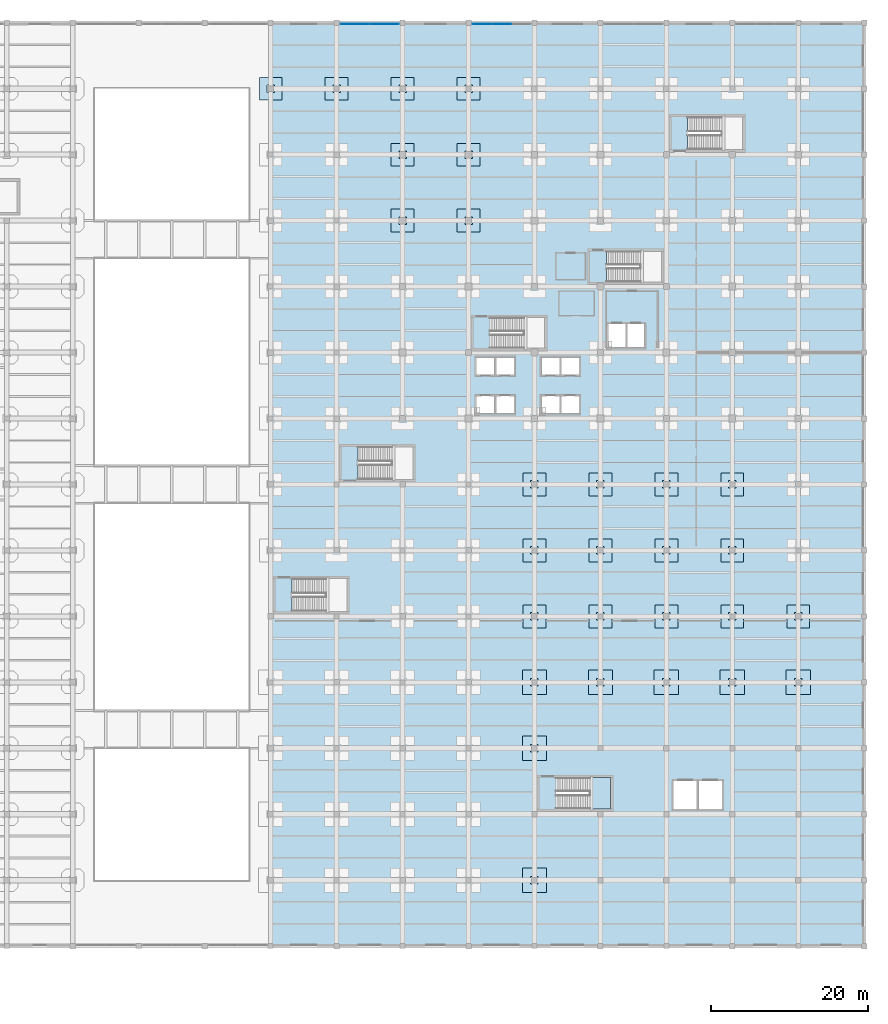
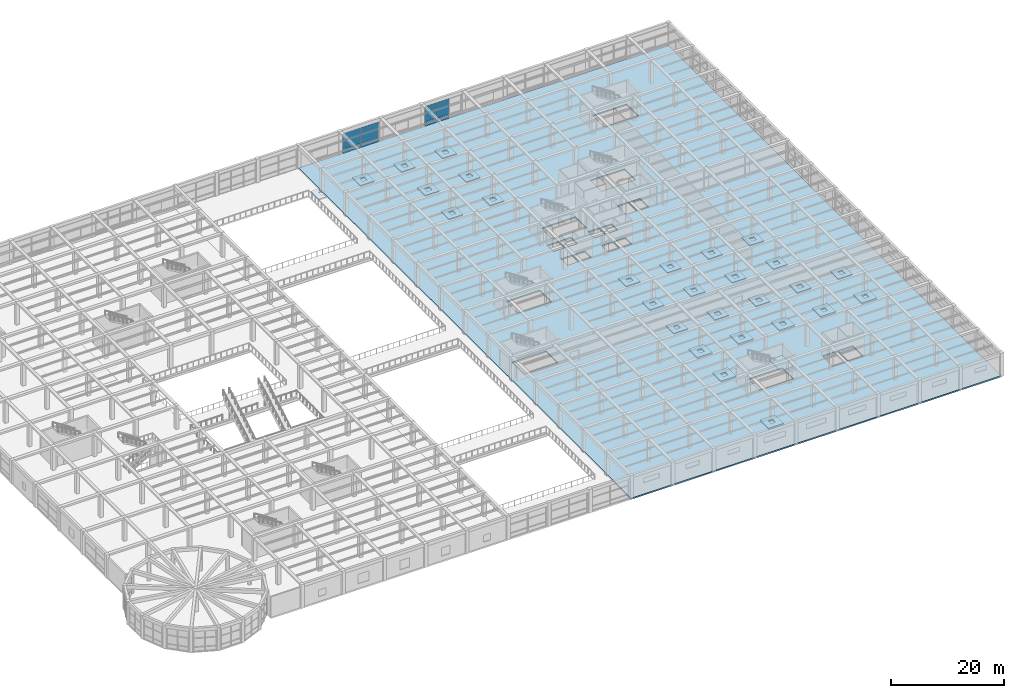
# One storey, part 74 of 95: 30 slabs, 12 plates, 3 elements without a shape of their own.
"""IFC4 building model written with IfcOpenShell, lengths in metres."""

from ifc_helpers import new_model, si_unit, direction, frame, origin, origin_2d, place, context, subcontext, project, spatial, polyline, rectangle, outline, extrude, material, layer, layer_set, type_object, element, aggregate, save


model = new_model("IFC4")

# Units and contexts
model_context = context("Model", 3, precision=1e-05, world=origin(), true_north=direction((0.0, 1.0)))
body_context = subcontext(model_context, "Body", "Model", "MODEL_VIEW")
ifc_project = project(units=[si_unit("LENGTHUNIT", "METRE"), si_unit("AREAUNIT", "SQUARE_METRE"), si_unit("VOLUMEUNIT", "CUBIC_METRE"), si_unit("PLANEANGLEUNIT", "RADIAN"), si_unit("MASSUNIT", "GRAM", prefix="KILO")], contexts=[model_context])

# Site, building, storey
site_placement = place(None, origin())
site = spatial("IfcSite", under=ifc_project, at=site_placement, CompositionType="ELEMENT")
building_placement = place(site_placement, origin())
building = spatial("IfcBuilding", under=site, at=building_placement, Name="Almacenes y Pasaje Nevantli", CompositionType="ELEMENT")
storey_placement = place(building_placement, frame((0.0, 0.0, 11.39990234375)))
storey = spatial("IfcBuildingStorey", under=building, at=storey_placement, Name="L03", CompositionType="ELEMENT", Elevation=11.39990234375)

# Curtain wall, plates
ifc_material_1 = material(Name="Thermally Broken Aluminium and Low-E Glass", Category="aluminium")
curtain_wall_type = type_object("IfcCurtainWallType", Name="CW-STF-BLVD", PredefinedType="USERDEFINED", material=ifc_material_1)
curtain_wall_1_placement = place(storey_placement, origin())
curtain_wall_1 = element("IfcCurtainWall", 1, at=curtain_wall_1_placement, inside=storey, type_object=curtain_wall_type, Name="L03 North Boulevard Retail Curtain Wall Bay 13", ObjectType="STOREFRONT GLAZING", PredefinedType="USERDEFINED")
ifc_material_2 = material(Name="Low-E Double Glazed Insulated Unit", Category="glass")
ifc_layer_1 = layer(ifc_material_2, 0.031982421875)
ifc_layer_set_1 = layer_set([ifc_layer_1], Name="Low-E Double Glazed Insulated Unit")
plate_type = type_object("IfcPlateType", Name="PL-IGU-32", PredefinedType="CURTAIN_PANEL", material=ifc_layer_set_1)
plate_1_placement = place(storey_placement, frame((103.139892578125, 117.449951171875, 0.06005859375), z_axis=(0.0, 0.0, 1.0), x_axis=(1.0, 0.0, 0.0)))
plate_1 = element("IfcPlate", 2, at=plate_1_placement, type_object=plate_type, Name="CW-L03-041 panel 1.1", PredefinedType="CURTAIN_PANEL", context=body_context, shape_type="SweptSolid", body=[
    extrude(rectangle(XDim=3.659912109375, YDim=0.031982421875, at=origin_2d()), origin(), (0.0, 0.0, 1.0), 0.860107421875),
])
plate_2_placement = place(storey_placement, frame((103.139892578125, 117.449951171875, 0.97998046875), z_axis=(0.0, 0.0, 1.0), x_axis=(1.0, 0.0, 0.0)))
plate_2 = element("IfcPlate", 3, at=plate_2_placement, type_object=plate_type, Name="CW-L03-041 panel 1.2", PredefinedType="CURTAIN_PANEL", context=body_context, shape_type="SweptSolid", body=[
    extrude(rectangle(XDim=3.659912109375, YDim=0.031982421875, at=origin_2d()), origin(), (0.0, 0.0, 1.0), 1.840087890625),
])
plate_3_placement = place(storey_placement, frame((103.139892578125, 117.449951171875, 2.880126953125), z_axis=(0.0, 0.0, 1.0), x_axis=(1.0, 0.0, 0.0)))
plate_3 = element("IfcPlate", 4, at=plate_3_placement, type_object=plate_type, Name="CW-L03-041 panel 1.3", PredefinedType="CURTAIN_PANEL", context=body_context, shape_type="SweptSolid", body=[
    extrude(rectangle(XDim=3.659912109375, YDim=0.031982421875, at=origin_2d()), origin(), (0.0, 0.0, 1.0), 1.43994140625),
])
plate_4_placement = place(storey_placement, frame((106.860107421875, 117.449951171875, 0.06005859375), z_axis=(0.0, 0.0, 1.0), x_axis=(1.0, 0.0, 0.0)))
plate_4 = element("IfcPlate", 5, at=plate_4_placement, type_object=plate_type, Name="CW-L03-041 panel 2.1", PredefinedType="CURTAIN_PANEL", context=body_context, shape_type="SweptSolid", body=[
    extrude(rectangle(XDim=3.659912109375, YDim=0.031982421875, at=origin_2d()), origin(), (0.0, 0.0, 1.0), 0.860107421875),
])
plate_5_placement = place(storey_placement, frame((106.860107421875, 117.449951171875, 0.97998046875), z_axis=(0.0, 0.0, 1.0), x_axis=(1.0, 0.0, 0.0)))
plate_5 = element("IfcPlate", 6, at=plate_5_placement, type_object=plate_type, Name="CW-L03-041 panel 2.2", PredefinedType="CURTAIN_PANEL", context=body_context, shape_type="SweptSolid", body=[
    extrude(rectangle(XDim=3.659912109375, YDim=0.031982421875, at=origin_2d()), origin(), (0.0, 0.0, 1.0), 1.840087890625),
])
plate_6_placement = place(storey_placement, frame((106.860107421875, 117.449951171875, 2.880126953125), z_axis=(0.0, 0.0, 1.0), x_axis=(1.0, 0.0, 0.0)))
plate_6 = element("IfcPlate", 7, at=plate_6_placement, type_object=plate_type, Name="CW-L03-041 panel 2.3", PredefinedType="CURTAIN_PANEL", context=body_context, shape_type="SweptSolid", body=[
    extrude(rectangle(XDim=3.659912109375, YDim=0.031982421875, at=origin_2d()), origin(), (0.0, 0.0, 1.0), 1.43994140625),
])
aggregate(curtain_wall_1, [plate_1, plate_2, plate_3, plate_4, plate_5, plate_6])

curtain_wall_2_placement = place(storey_placement, origin())
curtain_wall_2 = element("IfcCurtainWall", 8, at=curtain_wall_2_placement, inside=storey, type_object=curtain_wall_type, Name="L03 North Boulevard Retail Curtain Wall Bay 15", ObjectType="STOREFRONT GLAZING", PredefinedType="USERDEFINED")
plate_7_placement = place(storey_placement, frame((119.31494140625, 117.449951171875, 0.06005859375), z_axis=(0.0, 0.0, 1.0), x_axis=(1.0, 0.0, 0.0)))
plate_7 = element("IfcPlate", 9, at=plate_7_placement, type_object=plate_type, Name="CW-L03-042 panel 1.1", PredefinedType="CURTAIN_PANEL", context=body_context, shape_type="SweptSolid", body=[
    extrude(rectangle(XDim=2.409912109375, YDim=0.031982421875, at=origin_2d()), origin(), (0.0, 0.0, 1.0), 0.860107421875),
])
plate_8_placement = place(storey_placement, frame((119.31494140625, 117.449951171875, 0.97998046875), z_axis=(0.0, 0.0, 1.0), x_axis=(1.0, 0.0, 0.0)))
plate_8 = element("IfcPlate", 10, at=plate_8_placement, type_object=plate_type, Name="CW-L03-042 panel 1.2", PredefinedType="CURTAIN_PANEL", context=body_context, shape_type="SweptSolid", body=[
    extrude(rectangle(XDim=2.409912109375, YDim=0.031982421875, at=origin_2d()), origin(), (0.0, 0.0, 1.0), 1.840087890625),
])
plate_9_placement = place(storey_placement, frame((119.31494140625, 117.449951171875, 2.880126953125), z_axis=(0.0, 0.0, 1.0), x_axis=(1.0, 0.0, 0.0)))
plate_9 = element("IfcPlate", 11, at=plate_9_placement, type_object=plate_type, Name="CW-L03-042 panel 1.3", PredefinedType="CURTAIN_PANEL", context=body_context, shape_type="SweptSolid", body=[
    extrude(rectangle(XDim=2.409912109375, YDim=0.031982421875, at=origin_2d()), origin(), (0.0, 0.0, 1.0), 1.43994140625),
])
plate_10_placement = place(storey_placement, frame((121.800048828125, 117.449951171875, 0.06005859375), z_axis=(0.0, 0.0, 1.0), x_axis=(1.0, 0.0, 0.0)))
plate_10 = element("IfcPlate", 12, at=plate_10_placement, type_object=plate_type, Name="CW-L03-042 panel 2.1", PredefinedType="CURTAIN_PANEL", context=body_context, shape_type="SweptSolid", body=[
    extrude(rectangle(XDim=2.43994140625, YDim=0.031982421875, at=origin_2d()), origin(), (0.0, 0.0, 1.0), 0.860107421875),
])
plate_11_placement = place(storey_placement, frame((121.800048828125, 117.449951171875, 0.97998046875), z_axis=(0.0, 0.0, 1.0), x_axis=(1.0, 0.0, 0.0)))
plate_11 = element("IfcPlate", 13, at=plate_11_placement, type_object=plate_type, Name="CW-L03-042 panel 2.2", PredefinedType="CURTAIN_PANEL", context=body_context, shape_type="SweptSolid", body=[
    extrude(rectangle(XDim=2.43994140625, YDim=0.031982421875, at=origin_2d()), origin(), (0.0, 0.0, 1.0), 1.840087890625),
])
plate_12_placement = place(storey_placement, frame((121.800048828125, 117.449951171875, 2.880126953125), z_axis=(0.0, 0.0, 1.0), x_axis=(1.0, 0.0, 0.0)))
plate_12 = element("IfcPlate", 14, at=plate_12_placement, type_object=plate_type, Name="CW-L03-042 panel 2.3", PredefinedType="CURTAIN_PANEL", context=body_context, shape_type="SweptSolid", body=[
    extrude(rectangle(XDim=2.43994140625, YDim=0.031982421875, at=origin_2d()), origin(), (0.0, 0.0, 1.0), 1.43994140625),
])
aggregate(curtain_wall_2, [plate_7, plate_8, plate_9, plate_10, plate_11, plate_12])

# Slabs
ifc_material_3 = material(Name="Concrete C35/45", Category="concrete")
ifc_layer_2 = layer(ifc_material_3, 0.25)
ifc_layer_set_2 = layer_set([ifc_layer_2], Name="Concrete C35/45")
slab_type_1 = type_object("IfcSlabType", Name="SLB-DP-250", PredefinedType="USERDEFINED", material=ifc_layer_set_2)
slab_1_placement = place(storey_placement, frame((0.0, 0.0, -0.5498046875)))
element("IfcSlab", 15, at=slab_1_placement, inside=storey, type_object=slab_type_1, Name="L03 Punching-Shear Drop Panel DP-02 #666", ObjectType="DROP PANEL", PredefinedType="USERDEFINED", context=body_context, shape_type="SweptSolid", body=[
    extrude(outline(polyline([(90.949951171875, 107.75), (93.85009765625, 107.75), (93.85009765625, 110.64990234375), (90.949951171875, 110.64990234375), (90.949951171875, 107.75)]), holes=[polyline([(91.919921875, 108.719970703125), (92.8798828125, 108.719970703125), (92.8798828125, 109.679931640625), (91.919921875, 109.679931640625), (91.919921875, 108.719970703125)])]), origin(), (0.0, 0.0, 1.0), 0.25),
])
slab_2_placement = place(storey_placement, frame((0.0, 0.0, -0.5498046875)))
element("IfcSlab", 16, at=slab_2_placement, inside=storey, type_object=slab_type_1, Name="L03 Punching-Shear Drop Panel DP-02 #677", ObjectType="DROP PANEL", PredefinedType="USERDEFINED", context=body_context, shape_type="SweptSolid", body=[
    extrude(outline(polyline([(99.35009765625, 107.75), (102.25, 107.75), (102.25, 110.64990234375), (99.35009765625, 110.64990234375), (99.35009765625, 107.75)]), holes=[polyline([(100.320068359375, 108.719970703125), (101.280029296875, 108.719970703125), (101.280029296875, 109.679931640625), (100.320068359375, 109.679931640625), (100.320068359375, 108.719970703125)])]), origin(), (0.0, 0.0, 1.0), 0.25),
])
slab_3_placement = place(storey_placement, frame((0.0, 0.0, -0.5498046875)))
element("IfcSlab", 17, at=slab_3_placement, inside=storey, type_object=slab_type_1, Name="L03 Punching-Shear Drop Panel DP-02 #687", ObjectType="DROP PANEL", PredefinedType="USERDEFINED", context=body_context, shape_type="SweptSolid", body=[
    extrude(outline(polyline([(107.75, 90.949951171875), (110.64990234375, 90.949951171875), (110.64990234375, 93.85009765625), (107.75, 93.85009765625), (107.75, 90.949951171875)]), holes=[polyline([(108.719970703125, 91.919921875), (109.679931640625, 91.919921875), (109.679931640625, 92.8798828125), (108.719970703125, 92.8798828125), (108.719970703125, 91.919921875)])]), origin(), (0.0, 0.0, 1.0), 0.25),
])
slab_4_placement = place(storey_placement, frame((0.0, 0.0, -0.5498046875)))
element("IfcSlab", 18, at=slab_4_placement, inside=storey, type_object=slab_type_1, Name="L03 Punching-Shear Drop Panel DP-02 #688", ObjectType="DROP PANEL", PredefinedType="USERDEFINED", context=body_context, shape_type="SweptSolid", body=[
    extrude(outline(polyline([(107.75, 99.35009765625), (110.64990234375, 99.35009765625), (110.64990234375, 102.25), (107.75, 102.25), (107.75, 99.35009765625)]), holes=[polyline([(108.719970703125, 100.320068359375), (109.679931640625, 100.320068359375), (109.679931640625, 101.280029296875), (108.719970703125, 101.280029296875), (108.719970703125, 100.320068359375)])]), origin(), (0.0, 0.0, 1.0), 0.25),
])
slab_5_placement = place(storey_placement, frame((0.0, 0.0, -0.5498046875)))
element("IfcSlab", 19, at=slab_5_placement, inside=storey, type_object=slab_type_1, Name="L03 Punching-Shear Drop Panel DP-02 #689", ObjectType="DROP PANEL", PredefinedType="USERDEFINED", context=body_context, shape_type="SweptSolid", body=[
    extrude(outline(polyline([(107.75, 107.75), (110.64990234375, 107.75), (110.64990234375, 110.64990234375), (107.75, 110.64990234375), (107.75, 107.75)]), holes=[polyline([(108.719970703125, 108.719970703125), (109.679931640625, 108.719970703125), (109.679931640625, 109.679931640625), (108.719970703125, 109.679931640625), (108.719970703125, 108.719970703125)])]), origin(), (0.0, 0.0, 1.0), 0.25),
])
slab_6_placement = place(storey_placement, frame((0.0, 0.0, -0.5498046875)))
element("IfcSlab", 20, at=slab_6_placement, inside=storey, type_object=slab_type_1, Name="L03 Punching-Shear Drop Panel DP-02 #699", ObjectType="DROP PANEL", PredefinedType="USERDEFINED", context=body_context, shape_type="SweptSolid", body=[
    extrude(outline(polyline([(116.14990234375, 90.949951171875), (119.050048828125, 90.949951171875), (119.050048828125, 93.85009765625), (116.14990234375, 93.85009765625), (116.14990234375, 90.949951171875)]), holes=[polyline([(117.1201171875, 91.919921875), (118.080078125, 91.919921875), (118.080078125, 92.8798828125), (117.1201171875, 92.8798828125), (117.1201171875, 91.919921875)])]), origin(), (0.0, 0.0, 1.0), 0.25),
])
slab_7_placement = place(storey_placement, frame((0.0, 0.0, -0.5498046875)))
element("IfcSlab", 21, at=slab_7_placement, inside=storey, type_object=slab_type_1, Name="L03 Punching-Shear Drop Panel DP-02 #700", ObjectType="DROP PANEL", PredefinedType="USERDEFINED", context=body_context, shape_type="SweptSolid", body=[
    extrude(outline(polyline([(116.14990234375, 99.35009765625), (119.050048828125, 99.35009765625), (119.050048828125, 102.25), (116.14990234375, 102.25), (116.14990234375, 99.35009765625)]), holes=[polyline([(117.1201171875, 100.320068359375), (118.080078125, 100.320068359375), (118.080078125, 101.280029296875), (117.1201171875, 101.280029296875), (117.1201171875, 100.320068359375)])]), origin(), (0.0, 0.0, 1.0), 0.25),
])
slab_8_placement = place(storey_placement, frame((0.0, 0.0, -0.5498046875)))
element("IfcSlab", 22, at=slab_8_placement, inside=storey, type_object=slab_type_1, Name="L03 Punching-Shear Drop Panel DP-02 #701", ObjectType="DROP PANEL", PredefinedType="USERDEFINED", context=body_context, shape_type="SweptSolid", body=[
    extrude(outline(polyline([(116.14990234375, 107.75), (119.050048828125, 107.75), (119.050048828125, 110.64990234375), (116.14990234375, 110.64990234375), (116.14990234375, 107.75)]), holes=[polyline([(117.1201171875, 108.719970703125), (118.080078125, 108.719970703125), (118.080078125, 109.679931640625), (117.1201171875, 109.679931640625), (117.1201171875, 108.719970703125)])]), origin(), (0.0, 0.0, 1.0), 0.25),
])
slab_9_placement = place(storey_placement, frame((0.0, 0.0, -0.5498046875)))
element("IfcSlab", 23, at=slab_9_placement, inside=storey, type_object=slab_type_1, Name="L03 Punching-Shear Drop Panel DP-02 #705", ObjectType="DROP PANEL", PredefinedType="USERDEFINED", context=body_context, shape_type="SweptSolid", body=[
    extrude(outline(polyline([(124.550048828125, 40.550048828125), (127.449951171875, 40.550048828125), (127.449951171875, 43.449951171875), (124.550048828125, 43.449951171875), (124.550048828125, 40.550048828125)]), holes=[polyline([(125.52001953125, 41.52001953125), (126.47998046875, 41.52001953125), (126.47998046875, 42.47998046875), (125.52001953125, 42.47998046875), (125.52001953125, 41.52001953125)])]), origin(), (0.0, 0.0, 1.0), 0.25),
])
slab_10_placement = place(storey_placement, frame((0.0, 0.0, -0.5498046875)))
element("IfcSlab", 24, at=slab_10_placement, inside=storey, type_object=slab_type_1, Name="L03 Punching-Shear Drop Panel DP-02 #706", ObjectType="DROP PANEL", PredefinedType="USERDEFINED", context=body_context, shape_type="SweptSolid", body=[
    extrude(outline(polyline([(124.550048828125, 48.949951171875), (127.449951171875, 48.949951171875), (127.449951171875, 51.85009765625), (124.550048828125, 51.85009765625), (124.550048828125, 48.949951171875)]), holes=[polyline([(125.52001953125, 49.919921875), (126.47998046875, 49.919921875), (126.47998046875, 50.8798828125), (125.52001953125, 50.8798828125), (125.52001953125, 49.919921875)])]), origin(), (0.0, 0.0, 1.0), 0.25),
])
slab_11_placement = place(storey_placement, frame((0.0, 0.0, -0.5498046875)))
element("IfcSlab", 25, at=slab_11_placement, inside=storey, type_object=slab_type_1, Name="L03 Punching-Shear Drop Panel DP-02 #707", ObjectType="DROP PANEL", PredefinedType="USERDEFINED", context=body_context, shape_type="SweptSolid", body=[
    extrude(outline(polyline([(124.550048828125, 57.35009765625), (127.449951171875, 57.35009765625), (127.449951171875, 60.25), (124.550048828125, 60.25), (124.550048828125, 57.35009765625)]), holes=[polyline([(125.52001953125, 58.320068359375), (126.47998046875, 58.320068359375), (126.47998046875, 59.280029296875), (125.52001953125, 59.280029296875), (125.52001953125, 58.320068359375)])]), origin(), (0.0, 0.0, 1.0), 0.25),
])
slab_12_placement = place(storey_placement, frame((0.0, 0.0, -0.5498046875)))
element("IfcSlab", 26, at=slab_12_placement, inside=storey, type_object=slab_type_1, Name="L03 Punching-Shear Drop Panel DP-02 #714", ObjectType="DROP PANEL", PredefinedType="USERDEFINED", context=body_context, shape_type="SweptSolid", body=[
    extrude(outline(polyline([(132.949951171875, 40.550048828125), (135.85009765625, 40.550048828125), (135.85009765625, 43.449951171875), (132.949951171875, 43.449951171875), (132.949951171875, 40.550048828125)]), holes=[polyline([(133.919921875, 41.52001953125), (134.8798828125, 41.52001953125), (134.8798828125, 42.47998046875), (133.919921875, 42.47998046875), (133.919921875, 41.52001953125)])]), origin(), (0.0, 0.0, 1.0), 0.25),
])
slab_13_placement = place(storey_placement, frame((0.0, 0.0, -0.5498046875)))
element("IfcSlab", 27, at=slab_13_placement, inside=storey, type_object=slab_type_1, Name="L03 Punching-Shear Drop Panel DP-02 #715", ObjectType="DROP PANEL", PredefinedType="USERDEFINED", context=body_context, shape_type="SweptSolid", body=[
    extrude(outline(polyline([(132.949951171875, 48.949951171875), (135.85009765625, 48.949951171875), (135.85009765625, 51.85009765625), (132.949951171875, 51.85009765625), (132.949951171875, 48.949951171875)]), holes=[polyline([(133.919921875, 49.919921875), (134.8798828125, 49.919921875), (134.8798828125, 50.8798828125), (133.919921875, 50.8798828125), (133.919921875, 49.919921875)])]), origin(), (0.0, 0.0, 1.0), 0.25),
])
slab_14_placement = place(storey_placement, frame((0.0, 0.0, -0.5498046875)))
element("IfcSlab", 28, at=slab_14_placement, inside=storey, type_object=slab_type_1, Name="L03 Punching-Shear Drop Panel DP-02 #716", ObjectType="DROP PANEL", PredefinedType="USERDEFINED", context=body_context, shape_type="SweptSolid", body=[
    extrude(outline(polyline([(132.949951171875, 57.35009765625), (135.85009765625, 57.35009765625), (135.85009765625, 60.25), (132.949951171875, 60.25), (132.949951171875, 57.35009765625)]), holes=[polyline([(133.919921875, 58.320068359375), (134.8798828125, 58.320068359375), (134.8798828125, 59.280029296875), (133.919921875, 59.280029296875), (133.919921875, 58.320068359375)])]), origin(), (0.0, 0.0, 1.0), 0.25),
])
slab_15_placement = place(storey_placement, frame((0.0, 0.0, -0.5498046875)))
element("IfcSlab", 29, at=slab_15_placement, inside=storey, type_object=slab_type_1, Name="L03 Punching-Shear Drop Panel DP-02 #723", ObjectType="DROP PANEL", PredefinedType="USERDEFINED", context=body_context, shape_type="SweptSolid", body=[
    extrude(outline(polyline([(141.35009765625, 40.550048828125), (144.25, 40.550048828125), (144.25, 43.449951171875), (141.35009765625, 43.449951171875), (141.35009765625, 40.550048828125)]), holes=[polyline([(142.320068359375, 41.52001953125), (143.280029296875, 41.52001953125), (143.280029296875, 42.47998046875), (142.320068359375, 42.47998046875), (142.320068359375, 41.52001953125)])]), origin(), (0.0, 0.0, 1.0), 0.25),
])
slab_16_placement = place(storey_placement, frame((0.0, 0.0, -0.5498046875)))
element("IfcSlab", 30, at=slab_16_placement, inside=storey, type_object=slab_type_1, Name="L03 Punching-Shear Drop Panel DP-02 #724", ObjectType="DROP PANEL", PredefinedType="USERDEFINED", context=body_context, shape_type="SweptSolid", body=[
    extrude(outline(polyline([(141.35009765625, 48.949951171875), (144.25, 48.949951171875), (144.25, 51.85009765625), (141.35009765625, 51.85009765625), (141.35009765625, 48.949951171875)]), holes=[polyline([(142.320068359375, 49.919921875), (143.280029296875, 49.919921875), (143.280029296875, 50.8798828125), (142.320068359375, 50.8798828125), (142.320068359375, 49.919921875)])]), origin(), (0.0, 0.0, 1.0), 0.25),
])
slab_17_placement = place(storey_placement, frame((0.0, 0.0, -0.5498046875)))
element("IfcSlab", 31, at=slab_17_placement, inside=storey, type_object=slab_type_1, Name="L03 Punching-Shear Drop Panel DP-02 #725", ObjectType="DROP PANEL", PredefinedType="USERDEFINED", context=body_context, shape_type="SweptSolid", body=[
    extrude(outline(polyline([(141.35009765625, 57.35009765625), (144.25, 57.35009765625), (144.25, 60.25), (141.35009765625, 60.25), (141.35009765625, 57.35009765625)]), holes=[polyline([(142.320068359375, 58.320068359375), (143.280029296875, 58.320068359375), (143.280029296875, 59.280029296875), (142.320068359375, 59.280029296875), (142.320068359375, 58.320068359375)])]), origin(), (0.0, 0.0, 1.0), 0.25),
])
slab_18_placement = place(storey_placement, frame((0.0, 0.0, -0.5498046875)))
element("IfcSlab", 32, at=slab_18_placement, inside=storey, type_object=slab_type_1, Name="L03 Punching-Shear Drop Panel DP-02 #731", ObjectType="DROP PANEL", PredefinedType="USERDEFINED", context=body_context, shape_type="SweptSolid", body=[
    extrude(outline(polyline([(149.75, 40.550048828125), (152.64990234375, 40.550048828125), (152.64990234375, 43.449951171875), (149.75, 43.449951171875), (149.75, 40.550048828125)]), holes=[polyline([(150.719970703125, 41.52001953125), (151.679931640625, 41.52001953125), (151.679931640625, 42.47998046875), (150.719970703125, 42.47998046875), (150.719970703125, 41.52001953125)])]), origin(), (0.0, 0.0, 1.0), 0.25),
])
slab_19_placement = place(storey_placement, frame((0.0, 0.0, -0.5498046875)))
element("IfcSlab", 33, at=slab_19_placement, inside=storey, type_object=slab_type_1, Name="L03 Punching-Shear Drop Panel DP-02 #732", ObjectType="DROP PANEL", PredefinedType="USERDEFINED", context=body_context, shape_type="SweptSolid", body=[
    extrude(outline(polyline([(149.75, 48.949951171875), (152.64990234375, 48.949951171875), (152.64990234375, 51.85009765625), (149.75, 51.85009765625), (149.75, 48.949951171875)]), holes=[polyline([(150.719970703125, 49.919921875), (151.679931640625, 49.919921875), (151.679931640625, 50.8798828125), (150.719970703125, 50.8798828125), (150.719970703125, 49.919921875)])]), origin(), (0.0, 0.0, 1.0), 0.25),
])
slab_20_placement = place(storey_placement, frame((0.0, 0.0, -0.5498046875)))
element("IfcSlab", 34, at=slab_20_placement, inside=storey, type_object=slab_type_1, Name="L03 Punching-Shear Drop Panel DP-02 #733", ObjectType="DROP PANEL", PredefinedType="USERDEFINED", context=body_context, shape_type="SweptSolid", body=[
    extrude(outline(polyline([(149.75, 57.35009765625), (152.64990234375, 57.35009765625), (152.64990234375, 60.25), (149.75, 60.25), (149.75, 57.35009765625)]), holes=[polyline([(150.719970703125, 58.320068359375), (151.679931640625, 58.320068359375), (151.679931640625, 59.280029296875), (150.719970703125, 59.280029296875), (150.719970703125, 58.320068359375)])]), origin(), (0.0, 0.0, 1.0), 0.25),
])
slab_21_placement = place(storey_placement, frame((0.0, 0.0, -0.5498046875)))
element("IfcSlab", 35, at=slab_21_placement, inside=storey, type_object=slab_type_1, Name="L03 Punching-Shear Drop Panel DP-02 #740", ObjectType="DROP PANEL", PredefinedType="USERDEFINED", context=body_context, shape_type="SweptSolid", body=[
    extrude(outline(polyline([(158.14990234375, 40.550048828125), (161.050048828125, 40.550048828125), (161.050048828125, 43.449951171875), (158.14990234375, 43.449951171875), (158.14990234375, 40.550048828125)]), holes=[polyline([(159.1201171875, 41.52001953125), (160.080078125, 41.52001953125), (160.080078125, 42.47998046875), (159.1201171875, 42.47998046875), (159.1201171875, 41.52001953125)])]), origin(), (0.0, 0.0, 1.0), 0.25),
])
ifc_material_4 = material(Name="Concrete C35/45", Category="concrete")
ifc_layer_3 = layer(ifc_material_4, 0.31005859375)
ifc_layer_set_3 = layer_set([ifc_layer_3], Name="Concrete C35/45")
slab_type_2 = type_object("IfcSlabType", Name="SLB-DP-310", PredefinedType="USERDEFINED", material=ifc_layer_set_3)
slab_22_placement = place(storey_placement, frame((0.0, 0.0, -0.60986328125)))
element("IfcSlab", 36, at=slab_22_placement, inside=storey, type_object=slab_type_2, Name="L03 Punching-Shear Drop Panel DP-03 #702", ObjectType="DROP PANEL", PredefinedType="USERDEFINED", context=body_context, shape_type="SweptSolid", body=[
    extrude(outline(polyline([(124.449951171875, 6.85009765625), (127.550048828125, 6.85009765625), (127.550048828125, 9.949951171875), (124.449951171875, 9.949951171875), (124.449951171875, 6.85009765625)]), holes=[polyline([(125.52001953125, 7.919921875), (126.47998046875, 7.919921875), (126.47998046875, 8.8798828125), (125.52001953125, 8.8798828125), (125.52001953125, 7.919921875)])]), origin(), (0.0, 0.0, 1.0), 0.31005859375),
])
slab_23_placement = place(storey_placement, frame((0.0, 0.0, -0.60986328125)))
element("IfcSlab", 37, at=slab_23_placement, inside=storey, type_object=slab_type_2, Name="L03 Punching-Shear Drop Panel DP-03 #703", ObjectType="DROP PANEL", PredefinedType="USERDEFINED", context=body_context, shape_type="SweptSolid", body=[
    extrude(outline(polyline([(124.449951171875, 23.64990234375), (127.550048828125, 23.64990234375), (127.550048828125, 26.75), (124.449951171875, 26.75), (124.449951171875, 23.64990234375)]), holes=[polyline([(125.52001953125, 24.719970703125), (126.47998046875, 24.719970703125), (126.47998046875, 25.679931640625), (125.52001953125, 25.679931640625), (125.52001953125, 24.719970703125)])]), origin(), (0.0, 0.0, 1.0), 0.31005859375),
])
slab_24_placement = place(storey_placement, frame((0.0, 0.0, -0.60986328125)))
element("IfcSlab", 38, at=slab_24_placement, inside=storey, type_object=slab_type_2, Name="L03 Punching-Shear Drop Panel DP-03 #704", ObjectType="DROP PANEL", PredefinedType="USERDEFINED", context=body_context, shape_type="SweptSolid", body=[
    extrude(outline(polyline([(124.449951171875, 32.050048828125), (127.550048828125, 32.050048828125), (127.550048828125, 35.14990234375), (124.449951171875, 35.14990234375), (124.449951171875, 32.050048828125)]), holes=[polyline([(125.52001953125, 33.1201171875), (126.47998046875, 33.1201171875), (126.47998046875, 34.080078125), (125.52001953125, 34.080078125), (125.52001953125, 33.1201171875)])]), origin(), (0.0, 0.0, 1.0), 0.31005859375),
])
slab_25_placement = place(storey_placement, frame((0.0, 0.0, -0.60986328125)))
element("IfcSlab", 39, at=slab_25_placement, inside=storey, type_object=slab_type_2, Name="L03 Punching-Shear Drop Panel DP-03 #713", ObjectType="DROP PANEL", PredefinedType="USERDEFINED", context=body_context, shape_type="SweptSolid", body=[
    extrude(outline(polyline([(132.85009765625, 32.050048828125), (135.949951171875, 32.050048828125), (135.949951171875, 35.14990234375), (132.85009765625, 35.14990234375), (132.85009765625, 32.050048828125)]), holes=[polyline([(133.919921875, 33.1201171875), (134.8798828125, 33.1201171875), (134.8798828125, 34.080078125), (133.919921875, 34.080078125), (133.919921875, 33.1201171875)])]), origin(), (0.0, 0.0, 1.0), 0.31005859375),
])
slab_26_placement = place(storey_placement, frame((0.0, 0.0, -0.60986328125)))
element("IfcSlab", 40, at=slab_26_placement, inside=storey, type_object=slab_type_2, Name="L03 Punching-Shear Drop Panel DP-03 #722", ObjectType="DROP PANEL", PredefinedType="USERDEFINED", context=body_context, shape_type="SweptSolid", body=[
    extrude(outline(polyline([(141.25, 32.050048828125), (144.35009765625, 32.050048828125), (144.35009765625, 35.14990234375), (141.25, 35.14990234375), (141.25, 32.050048828125)]), holes=[polyline([(142.320068359375, 33.1201171875), (143.280029296875, 33.1201171875), (143.280029296875, 34.080078125), (142.320068359375, 34.080078125), (142.320068359375, 33.1201171875)])]), origin(), (0.0, 0.0, 1.0), 0.31005859375),
])
slab_27_placement = place(storey_placement, frame((0.0, 0.0, -0.60986328125)))
element("IfcSlab", 41, at=slab_27_placement, inside=storey, type_object=slab_type_2, Name="L03 Punching-Shear Drop Panel DP-03 #730", ObjectType="DROP PANEL", PredefinedType="USERDEFINED", context=body_context, shape_type="SweptSolid", body=[
    extrude(outline(polyline([(149.64990234375, 32.050048828125), (152.75, 32.050048828125), (152.75, 35.14990234375), (149.64990234375, 35.14990234375), (149.64990234375, 32.050048828125)]), holes=[polyline([(150.719970703125, 33.1201171875), (151.679931640625, 33.1201171875), (151.679931640625, 34.080078125), (150.719970703125, 34.080078125), (150.719970703125, 33.1201171875)])]), origin(), (0.0, 0.0, 1.0), 0.31005859375),
])
slab_28_placement = place(storey_placement, frame((0.0, 0.0, -0.60986328125)))
element("IfcSlab", 42, at=slab_28_placement, inside=storey, type_object=slab_type_2, Name="L03 Punching-Shear Drop Panel DP-03 #739", ObjectType="DROP PANEL", PredefinedType="USERDEFINED", context=body_context, shape_type="SweptSolid", body=[
    extrude(outline(polyline([(158.050048828125, 32.050048828125), (161.14990234375, 32.050048828125), (161.14990234375, 35.14990234375), (158.050048828125, 35.14990234375), (158.050048828125, 32.050048828125)]), holes=[polyline([(159.1201171875, 33.1201171875), (160.080078125, 33.1201171875), (160.080078125, 34.080078125), (159.1201171875, 34.080078125), (159.1201171875, 33.1201171875)])]), origin(), (0.0, 0.0, 1.0), 0.31005859375),
])
ifc_material_5 = material(Name="Concrete C35/45", Category="concrete")
ifc_layer_4 = layer(ifc_material_5, 0.300048828125)
ifc_layer_set_4 = layer_set([ifc_layer_4], Name="Concrete C35/45")
slab_type_3 = type_object("IfcSlabType", Name="SLB-FLR-300", PredefinedType="FLOOR", material=ifc_layer_set_4)
slab_29_placement = place(storey_placement, frame((0.0, 0.0, -0.2998046875)))
element("IfcSlab", 43, at=slab_29_placement, inside=storey, type_object=slab_type_3, Name="L03 East Podium Retail and Tower Core Slab", PredefinedType="FLOOR", context=body_context, shape_type="SweptSolid", body=[
    extrude(outline(polyline([(92.39990234375, 0.0), (168.0, 0.0), (168.0, 117.60009765625), (92.39990234375, 117.60009765625), (92.39990234375, 0.0)]), holes=[polyline([(120.31494140625, 76.14990234375), (127.300048828125, 76.14990234375), (127.300048828125, 80.0400390625), (120.31494140625, 80.0400390625), (120.31494140625, 76.14990234375)]), polyline([(135.1650390625, 84.60009765625), (142.14990234375, 84.60009765625), (142.14990234375, 88.489990234375), (135.1650390625, 88.489990234375), (135.1650390625, 84.60009765625)]), polyline([(128.715087890625, 17.5), (135.699951171875, 17.5), (135.699951171875, 21.449951171875), (128.715087890625, 21.449951171875), (128.715087890625, 17.5)]), polyline([(145.514892578125, 101.449951171875), (152.5, 101.449951171875), (152.5, 105.60009765625), (145.514892578125, 105.60009765625), (145.514892578125, 101.449951171875)]), polyline([(95.114990234375, 42.64990234375), (102.10009765625, 42.64990234375), (102.10009765625, 46.800048828125), (95.114990234375, 46.800048828125), (95.114990234375, 42.64990234375)]), polyline([(103.514892578125, 59.449951171875), (110.5, 59.449951171875), (110.5, 63.60009765625), (103.514892578125, 63.60009765625), (103.514892578125, 59.449951171875)]), polyline([(126.89990234375, 67.85009765625), (129.199951171875, 67.85009765625), (129.199951171875, 70.050048828125), (126.89990234375, 70.050048828125), (126.89990234375, 67.85009765625)]), polyline([(129.39990234375, 67.85009765625), (131.699951171875, 67.85009765625), (131.699951171875, 70.050048828125), (129.39990234375, 70.050048828125), (129.39990234375, 67.85009765625)]), polyline([(126.89990234375, 72.75), (129.199951171875, 72.75), (129.199951171875, 74.949951171875), (126.89990234375, 74.949951171875), (126.89990234375, 72.75)]), polyline([(129.39990234375, 72.75), (131.699951171875, 72.75), (131.699951171875, 74.949951171875), (129.39990234375, 74.949951171875), (129.39990234375, 72.75)]), polyline([(118.60009765625, 67.85009765625), (120.89990234375, 67.85009765625), (120.89990234375, 70.050048828125), (118.60009765625, 70.050048828125), (118.60009765625, 67.85009765625)]), polyline([(121.10009765625, 67.85009765625), (123.39990234375, 67.85009765625), (123.39990234375, 70.050048828125), (121.10009765625, 70.050048828125), (121.10009765625, 67.85009765625)]), polyline([(118.60009765625, 72.75), (120.89990234375, 72.75), (120.89990234375, 74.949951171875), (118.60009765625, 74.949951171875), (118.60009765625, 72.75)]), polyline([(121.10009765625, 72.75), (123.39990234375, 72.75), (123.39990234375, 74.949951171875), (121.10009765625, 74.949951171875), (121.10009765625, 72.75)]), polyline([(135.39990234375, 76.25), (137.60009765625, 76.25), (137.60009765625, 79.25), (135.39990234375, 79.25), (135.39990234375, 76.25)]), polyline([(137.800048828125, 76.25), (140.0, 76.25), (140.0, 79.25), (137.800048828125, 79.25), (137.800048828125, 76.25)]), polyline([(143.699951171875, 17.449951171875), (146.699951171875, 17.449951171875), (146.699951171875, 21.050048828125), (143.699951171875, 21.050048828125), (143.699951171875, 17.449951171875)]), polyline([(146.89990234375, 17.449951171875), (149.89990234375, 17.449951171875), (149.89990234375, 21.050048828125), (146.89990234375, 21.050048828125), (146.89990234375, 17.449951171875)])]), origin(), (0.0, 0.0, 1.0), 0.2998046875),
])

# Stair, slab
ifc_material_6 = material(Name="Concrete C35/45", Category="concrete")
stair_type = type_object("IfcStairType", Name="STR-CORE-1750", PredefinedType="HALF_TURN_STAIR", material=ifc_material_6)
stair_placement = place(storey_placement, origin())
stair = element("IfcStair", 44, at=stair_placement, inside=storey, type_object=stair_type, Name="L03 Staircase ST-06", PredefinedType="HALF_TURN_STAIR")
ifc_material_7 = material(Name="Concrete C35/45", Category="concrete")
ifc_layer_5 = layer(ifc_material_7, 0.199951171875)
ifc_layer_set_5 = layer_set([ifc_layer_5], Name="Concrete C35/45")
slab_type_4 = type_object("IfcSlabType", Name="SLB-LAND-200", PredefinedType="LANDING", material=ifc_layer_set_5)
slab_30_placement = place(storey_placement, frame((0.0, 0.0, 2.5)))
slab_30 = element("IfcSlab", 45, at=slab_30_placement, type_object=slab_type_4, Name="ST-06-L03 landing 1", PredefinedType="LANDING", context=body_context, shape_type="SweptSolid", body=[
    extrude(outline(polyline([(133.034912109375, 17.5), (135.699951171875, 17.5), (135.699951171875, 21.449951171875), (133.034912109375, 21.449951171875), (133.034912109375, 17.5)])), origin(), (0.0, 0.0, 1.0), 0.2001953125),
])
aggregate(stair, [slab_30])

save(model, "model.ifc")
